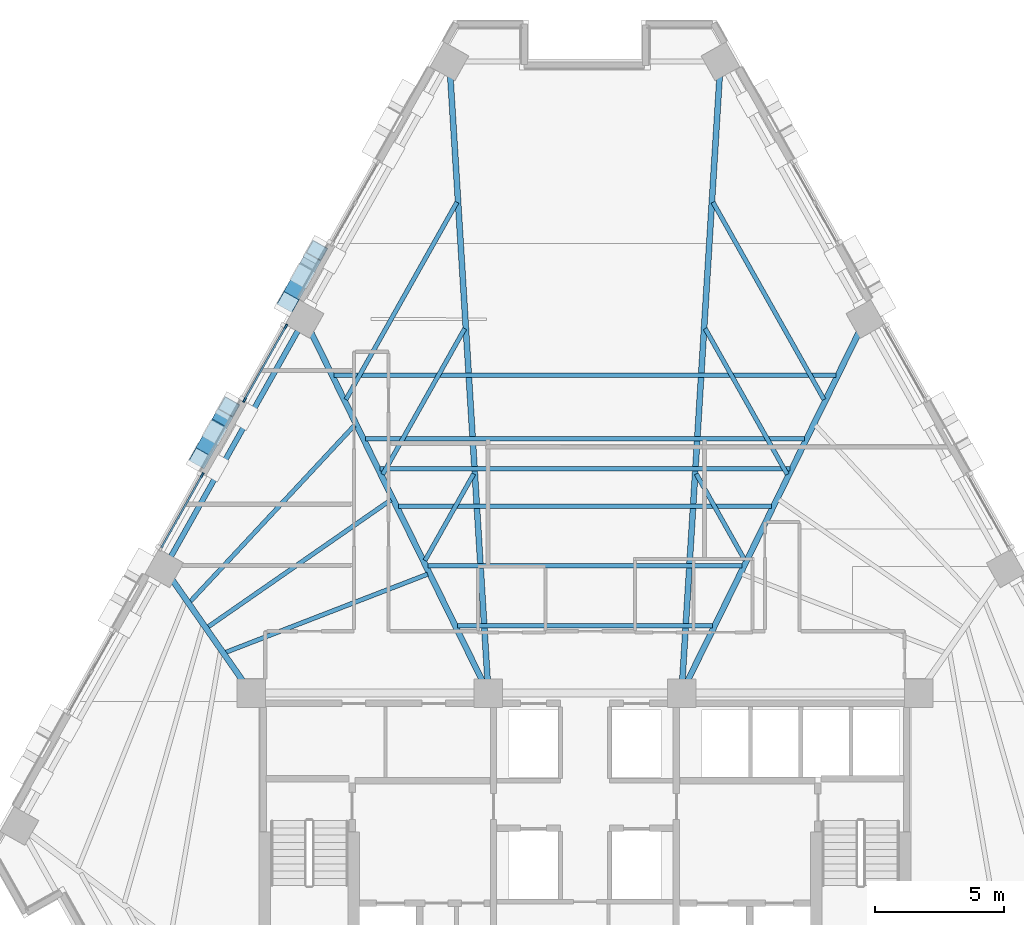
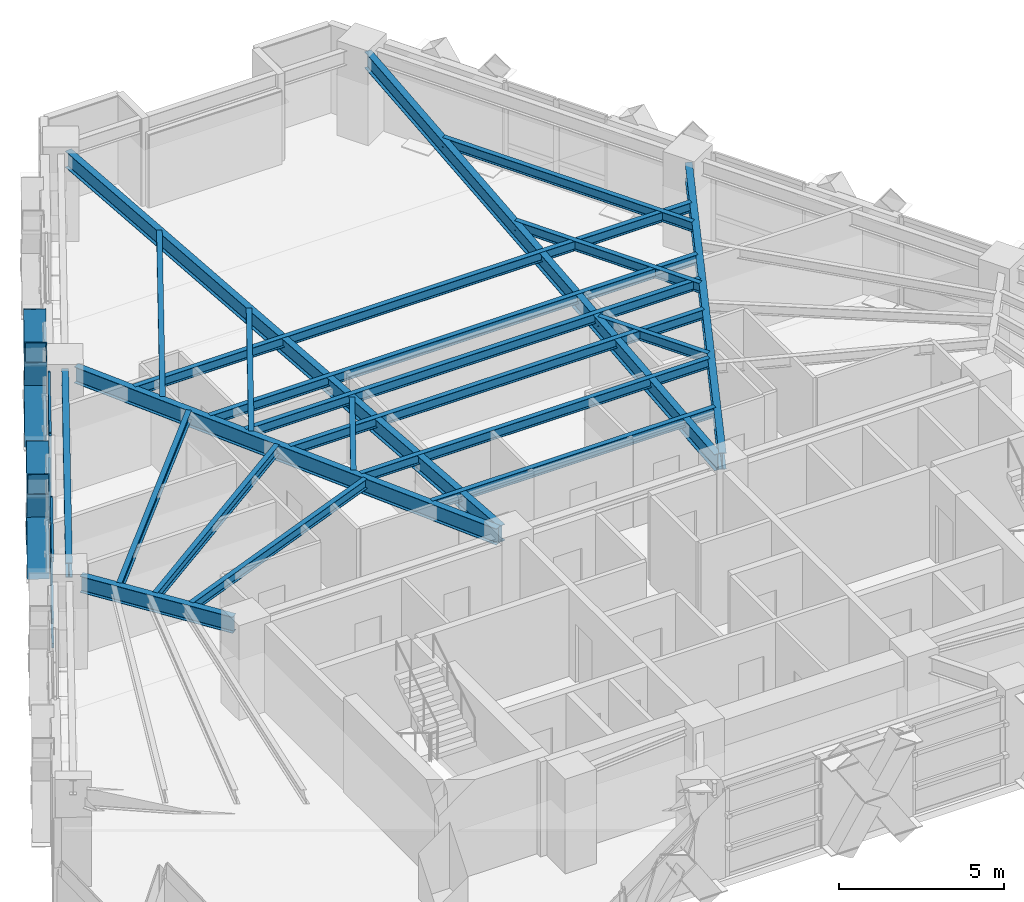
# One storey, part 3 of 14: 21 beams, 14 members, 2 elements without a shape of their own.
"""IFC4 building model written with IfcOpenShell, lengths in metres."""

from ifc_helpers import new_model, si_unit, direction, frame, origin, origin_2d, place, context, subcontext, project, spatial, rectangle, hollow_rectangle, i_section, extrude, material, material_profile, profile_set, type_object, element, aggregate, save


model = new_model("IFC4")

# Units and contexts
model_context = context("Model", 3, precision=1e-05, world=origin(), true_north=direction((0.0, 1.0)))
body_context = subcontext(model_context, "Body", "Model", "MODEL_VIEW")
ifc_project = project(units=[si_unit("LENGTHUNIT", "METRE"), si_unit("AREAUNIT", "SQUARE_METRE"), si_unit("VOLUMEUNIT", "CUBIC_METRE"), si_unit("PLANEANGLEUNIT", "RADIAN"), si_unit("MASSUNIT", "GRAM", prefix="KILO")], contexts=[model_context])

# Site, building, storey
site_placement = place(None, origin())
site = spatial("IfcSite", under=ifc_project, at=site_placement, CompositionType="ELEMENT")
building_placement = place(site_placement, origin())
building = spatial("IfcBuilding", under=site, at=building_placement, Name="Quenlor Broadcast Tower", CompositionType="ELEMENT")
storey_placement = place(building_placement, frame((0.0, 0.0, 123.0)))
storey = spatial("IfcBuildingStorey", under=building, at=storey_placement, Name="L33", CompositionType="ELEMENT", Elevation=123.0)

# Curtain wall, member
ifc_material_1 = material(Name="Architectural Terracotta and Low-E Glazing", Category="masonry")
curtain_wall_type = type_object("IfcCurtainWallType", Name="Unitised Terracotta Curtain Wall System Z2", PredefinedType="NOTDEFINED", material=ifc_material_1)
curtain_wall_1_placement = place(storey_placement, origin())
curtain_wall_1 = element("IfcCurtainWall", 1, at=curtain_wall_1_placement, inside=storey, type_object=curtain_wall_type, Name="L33 Curtain Wall CW2 (L33-NW-G1)", PredefinedType="NOTDEFINED")
ifc_material_2 = material(Name="Aluminium 6063-T6", Category="aluminium")
ifc_material_profile_1 = material_profile(ifc_material_2, rectangle(XDim=0.074951171875, YDim=0.199951171875, at=origin_2d()))
ifc_profile_set_1 = profile_set([ifc_material_profile_1], Name="Aluminium 6063-T6 MULL75x200")
member_type_1 = type_object("IfcMemberType", Name="CW2 Aluminium Mullion MULL_CW2", PredefinedType="MULLION", material=ifc_profile_set_1)
member_1_placement = place(storey_placement, frame((-14.857177734375, 3.660888671875, 0.0), z_axis=(0.0, 0.0, 1.0), x_axis=(-0.871575537123, 0.490261239636, 0.0)))
member_1 = element("IfcMember", 2, at=member_1_placement, type_object=member_type_1, Name="CW2 mullion 2", PredefinedType="MULLION", context=body_context, shape_type="SweptSolid", body=[
    extrude(rectangle(XDim=0.074951171875, YDim=0.199951171875, at=origin_2d()), origin(), (0.0, 0.0, 1.0), 3.25),
])

# Curtain wall, members
curtain_wall_2_placement = place(storey_placement, origin())
curtain_wall_2 = element("IfcCurtainWall", 3, at=curtain_wall_2_placement, inside=storey, type_object=curtain_wall_type, Name="L33 Curtain Wall CW2 (L33-NW-G2)", PredefinedType="NOTDEFINED")
member_2_placement = place(storey_placement, frame((-13.2138671875, 6.582275390625, 0.0), z_axis=(0.0, 0.0, 1.0), x_axis=(-0.871575537123, 0.490261239636, 0.0)))
member_2 = element("IfcMember", 4, at=member_2_placement, type_object=member_type_1, Name="CW2 mullion 1", PredefinedType="MULLION", context=body_context, shape_type="SweptSolid", body=[
    extrude(rectangle(XDim=0.074951171875, YDim=0.199951171875, at=origin_2d()), origin(), (0.0, 0.0, 1.0), 3.25),
])
member_3_placement = place(storey_placement, frame((-11.611572265625, 9.430419921875, 0.0), z_axis=(0.0, 0.0, 1.0), x_axis=(-0.871575537123, 0.490261239636, 0.0)))
member_3 = element("IfcMember", 5, at=member_3_placement, type_object=member_type_1, Name="CW2 mullion 2", PredefinedType="MULLION", context=body_context, shape_type="SweptSolid", body=[
    extrude(rectangle(XDim=0.074951171875, YDim=0.199951171875, at=origin_2d()), origin(), (0.0, 0.0, 1.0), 3.25),
])

# Member
ifc_material_3 = material(Name="Aluminium 6063-T6", Category="aluminium")
ifc_material_profile_2 = material_profile(ifc_material_3, rectangle(XDim=0.074951171875, YDim=0.1650390625, at=origin_2d()))
ifc_profile_set_2 = profile_set([ifc_material_profile_2], Name="Aluminium 6063-T6 TRAN75x165")
member_type_2 = type_object("IfcMemberType", Name="CW2 Aluminium Transom TRAN_CW2", PredefinedType="USERDEFINED", material=ifc_profile_set_2)
member_4_placement = place(storey_placement, frame((-16.44091796875, 0.845458984375, 0.03759765625), z_axis=(0.490297543358, 0.871555115283, 0.0), x_axis=(-0.871555115283, 0.490297543358, 0.0)))
member_4 = element("IfcMember", 6, at=member_4_placement, type_object=member_type_2, Name="CW2 transom 1.1", ObjectType="TRANSOM", PredefinedType="USERDEFINED", context=body_context, shape_type="SweptSolid", body=[
    extrude(rectangle(XDim=0.074951171875, YDim=0.1650390625, at=origin_2d()), origin(), (0.0, 0.0, 1.0), 3.19287109375),
])

member_5_placement = place(storey_placement, frame((-16.44091796875, 0.845458984375, 0.949951171875), z_axis=(0.490297543358, 0.871555115283, 0.0), x_axis=(-0.871555115283, 0.490297543358, 0.0)))
member_5 = element("IfcMember", 7, at=member_5_placement, type_object=member_type_2, Name="CW2 transom 1.2", ObjectType="TRANSOM", PredefinedType="USERDEFINED", context=body_context, shape_type="SweptSolid", body=[
    extrude(rectangle(XDim=0.074951171875, YDim=0.1650390625, at=origin_2d()), origin(), (0.0, 0.0, 1.0), 3.19287109375),
])

member_6_placement = place(storey_placement, frame((-16.44091796875, 0.845458984375, 3.21240234375), z_axis=(0.490297543358, 0.871555115283, 0.0), x_axis=(-0.871555115283, 0.490297543358, 0.0)))
member_6 = element("IfcMember", 8, at=member_6_placement, type_object=member_type_2, Name="CW2 transom 1.3", ObjectType="TRANSOM", PredefinedType="USERDEFINED", context=body_context, shape_type="SweptSolid", body=[
    extrude(rectangle(XDim=0.074951171875, YDim=0.1650390625, at=origin_2d()), origin(), (0.0, 0.0, 1.0), 3.19287109375),
])

aggregate(curtain_wall_1, [member_1, member_4, member_5, member_6])

member_7_placement = place(storey_placement, frame((-13.1953125, 6.614990234375, 0.03759765625), z_axis=(0.490206784037, 0.871606166158, 0.0), x_axis=(-0.871606166158, 0.490206784037, 0.0)))
member_7 = element("IfcMember", 9, at=member_7_placement, type_object=member_type_2, Name="CW2 transom 1.1", ObjectType="TRANSOM", PredefinedType="USERDEFINED", context=body_context, shape_type="SweptSolid", body=[
    extrude(rectangle(XDim=0.074951171875, YDim=0.1650390625, at=origin_2d()), origin(), (0.0, 0.0, 1.0), 3.19287109375),
])

member_8_placement = place(storey_placement, frame((-13.1953125, 6.614990234375, 0.949951171875), z_axis=(0.490206784037, 0.871606166158, 0.0), x_axis=(-0.871606166158, 0.490206784037, 0.0)))
member_8 = element("IfcMember", 10, at=member_8_placement, type_object=member_type_2, Name="CW2 transom 1.2", ObjectType="TRANSOM", PredefinedType="USERDEFINED", context=body_context, shape_type="SweptSolid", body=[
    extrude(rectangle(XDim=0.074951171875, YDim=0.1650390625, at=origin_2d()), origin(), (0.0, 0.0, 1.0), 3.19287109375),
])

member_9_placement = place(storey_placement, frame((-13.1953125, 6.614990234375, 3.21240234375), z_axis=(0.490206784037, 0.871606166158, 0.0), x_axis=(-0.871606166158, 0.490206784037, 0.0)))
member_9 = element("IfcMember", 11, at=member_9_placement, type_object=member_type_2, Name="CW2 transom 1.3", ObjectType="TRANSOM", PredefinedType="USERDEFINED", context=body_context, shape_type="SweptSolid", body=[
    extrude(rectangle(XDim=0.074951171875, YDim=0.1650390625, at=origin_2d()), origin(), (0.0, 0.0, 1.0), 3.19287109375),
])

aggregate(curtain_wall_2, [member_2, member_3, member_7, member_8, member_9])

# Members
ifc_material_4 = material(Name="Steel S355", Category="steel")
ifc_material_profile_3 = material_profile(ifc_material_4, hollow_rectangle(XDim=0.679931640625, YDim=0.679931640625, WallThickness=0.030029296875, at=origin_2d()))
ifc_profile_set_3 = profile_set([ifc_material_profile_3], Name="Steel S355 RHS680x680x30")
member_type_3 = type_object("IfcMemberType", Name="Perimeter Diagonal Lattice Brace Z2 Steel S355 RHS680x30", PredefinedType="BRACE", material=ifc_profile_set_3)
member_10_placement = place(storey_placement, frame((-14.94189453125, 4.316162109375, -0.1201171875), z_axis=(0.268642373731, 0.477592925498, 0.83650240439), x_axis=(-0.871578380919, 0.490256183964, 0.0)))
element("IfcMember", 12, at=member_10_placement, inside=storey, type_object=member_type_3, Name="L33 Perimeter Diamond Lattice NW-C3XA", PredefinedType="BRACE", context=body_context, shape_type="SweptSolid", body=[
    extrude(hollow_rectangle(XDim=0.679931640625, YDim=0.679931640625, WallThickness=0.030029296875, at=origin_2d()), origin(), (0.0, 0.0, 1.0), 4.18408203125),
])
member_11_placement = place(storey_placement, frame((-13.81787109375, 6.314453125, -0.1201171875), z_axis=(-0.268503779961, -0.477634562182, 0.836523128883), x_axis=(0.871704696361, -0.490031552394, 0.0)))
element("IfcMember", 13, at=member_11_placement, inside=storey, type_object=member_type_3, Name="L33 Perimeter Diamond Lattice NW-C3XB1", PredefinedType="BRACE", context=body_context, shape_type="SweptSolid", body=[
    extrude(hollow_rectangle(XDim=0.679931640625, YDim=0.679931640625, WallThickness=0.030029296875, at=origin_2d()), origin(), (0.0, 0.0, 1.0), 1.84228515625),
])
member_12_placement = place(storey_placement, frame((-14.447021484375, 5.19580078125, 1.839111328125), z_axis=(-0.268673537114, -0.477568206326, 0.836506508499), x_axis=(0.871543234879, -0.490318661421, 0.0)))
element("IfcMember", 14, at=member_12_placement, inside=storey, type_object=member_type_3, Name="L33 Perimeter Diamond Lattice NW-C3XB2", PredefinedType="BRACE", context=body_context, shape_type="SweptSolid", body=[
    extrude(hollow_rectangle(XDim=0.679931640625, YDim=0.679931640625, WallThickness=0.030029296875, at=origin_2d()), origin(), (0.0, 0.0, 1.0), 1.841796875),
])
member_13_placement = place(storey_placement, frame((-11.52880859375, 10.3837890625, -0.1201171875), z_axis=(0.268642373731, 0.477592925498, 0.83650240439), x_axis=(-0.871578380919, 0.490256183964, 0.0)))
element("IfcMember", 15, at=member_13_placement, inside=storey, type_object=member_type_3, Name="L33 Perimeter Diamond Lattice NW-C4XA", PredefinedType="BRACE", context=body_context, shape_type="SweptSolid", body=[
    extrude(hollow_rectangle(XDim=0.679931640625, YDim=0.679931640625, WallThickness=0.030029296875, at=origin_2d()), origin(), (0.0, 0.0, 1.0), 4.18408203125),
])
member_14_placement = place(storey_placement, frame((-11.033935546875, 11.263671875, 1.839111328125), z_axis=(-0.268656529223, -0.477670513725, 0.836453554971), x_axis=(0.871601370751, -0.490215310353, 0.0)))
element("IfcMember", 16, at=member_14_placement, inside=storey, type_object=member_type_3, Name="L33 Perimeter Diamond Lattice NW-C4XB2", PredefinedType="BRACE", context=body_context, shape_type="SweptSolid", body=[
    extrude(hollow_rectangle(XDim=0.679931640625, YDim=0.679931640625, WallThickness=0.030029296875, at=origin_2d()), origin(), (0.0, 0.0, 1.0), 1.842041015625),
])

# Beams
ifc_material_5 = material(Name="Steel S355", Category="steel")
ifc_material_profile_4 = material_profile(ifc_material_5, i_section(OverallWidth=0.208984375, OverallDepth=0.5283203125, WebThickness=0.009521484375, FlangeThickness=0.01318359375, FilletRadius=0.013916015625, at=origin_2d()))
ifc_profile_set_4 = profile_set([ifc_material_profile_4], Name="Steel S355 530UB82.0")
beam_type_1 = type_object("IfcBeamType", Name="Perimeter Spandrel Beam Z2 Steel S355 530UB82.0", PredefinedType="SPANDREL", material=ifc_profile_set_4)
beam_1_placement = place(storey_placement, frame((-11.087890625, 9.3623046875, 2.98583984375), z_axis=(-0.49026462139, -0.871573634878, 0.0), x_axis=(0.871573634878, -0.49026462139, 0.0)))
element("IfcBeam", 17, at=beam_1_placement, inside=storey, type_object=beam_type_1, Name="L33 Spandrel Beam NW2-NW3", PredefinedType="SPANDREL", context=body_context, shape_type="SweptSolid", body=[
    extrude(i_section(OverallWidth=0.208984375, OverallDepth=0.5283203125, WebThickness=0.009521484375, FlangeThickness=0.01318359375, FilletRadius=0.013916015625, at=origin_2d()), origin(), (0.0, 0.0, 1.0), 10.28271484375),
])
ifc_material_6 = material(Name="Steel S355", Category="steel")
ifc_material_profile_5 = material_profile(ifc_material_6, i_section(OverallWidth=0.172119140625, OverallDepth=0.358642578125, WebThickness=0.008056640625, FlangeThickness=0.012939453125, FilletRadius=0.011474609375, at=origin_2d()))
ifc_profile_set_5 = profile_set([ifc_material_profile_5], Name="Steel S355 360UB56.7")
beam_type_2 = type_object("IfcBeamType", Name="Tower Composite Joist Z2-Z3 Steel S355 360UB56.7", PredefinedType="JOIST", material=ifc_profile_set_5)
beam_2_placement = place(storey_placement, frame((-4.95458984375, -2.1865234375, 3.07080078125), z_axis=(1.0, 0.0, 0.0), x_axis=(0.0, 1.0, 0.0)))
element("IfcBeam", 18, at=beam_2_placement, inside=storey, type_object=beam_type_2, Name="L33 Secondary Composite Joist 1", PredefinedType="JOIST", context=body_context, shape_type="SweptSolid", body=[
    extrude(i_section(OverallWidth=0.172119140625, OverallDepth=0.358642578125, WebThickness=0.008056640625, FlangeThickness=0.012939453125, FilletRadius=0.011474609375, at=origin_2d()), origin(), (0.0, 0.0, 1.0), 9.9091796875),
])
beam_3_placement = place(storey_placement, frame((-7.9521484375, 3.911865234375, 3.07080078125), z_axis=(1.0, 0.0, 0.0), x_axis=(0.0, 1.0, 0.0)))
element("IfcBeam", 19, at=beam_3_placement, inside=storey, type_object=beam_type_2, Name="L33 Secondary Composite Joist 2", PredefinedType="JOIST", context=body_context, shape_type="SweptSolid", body=[
    extrude(i_section(OverallWidth=0.172119140625, OverallDepth=0.358642578125, WebThickness=0.008056640625, FlangeThickness=0.012939453125, FilletRadius=0.011474609375, at=origin_2d()), origin(), (0.0, 0.0, 1.0), 15.904296875),
])
beam_4_placement = place(storey_placement, frame((-6.096435546875, 0.13671875, 3.07080078125), z_axis=(1.0, 0.0, 0.0), x_axis=(0.0, 1.0, 0.0)))
element("IfcBeam", 20, at=beam_4_placement, inside=storey, type_object=beam_type_2, Name="L33 Secondary Composite Joist 3", PredefinedType="JOIST", context=body_context, shape_type="SweptSolid", body=[
    extrude(i_section(OverallWidth=0.172119140625, OverallDepth=0.358642578125, WebThickness=0.008056640625, FlangeThickness=0.012939453125, FilletRadius=0.011474609375, at=origin_2d()), origin(), (0.0, 0.0, 1.0), 12.19287109375),
])
beam_5_placement = place(storey_placement, frame((-7.238525390625, 2.4599609375, 3.07080078125), z_axis=(1.0, 0.0, 0.0), x_axis=(0.0, 1.0, 0.0)))
element("IfcBeam", 21, at=beam_5_placement, inside=storey, type_object=beam_type_2, Name="L33 Secondary Composite Joist 4", PredefinedType="JOIST", context=body_context, shape_type="SweptSolid", body=[
    extrude(i_section(OverallWidth=0.172119140625, OverallDepth=0.358642578125, WebThickness=0.008056640625, FlangeThickness=0.012939453125, FilletRadius=0.011474609375, at=origin_2d()), origin(), (0.0, 0.0, 1.0), 14.47705078125),
])
beam_6_placement = place(storey_placement, frame((-8.523193359375, 5.073486328125, 3.07080078125), z_axis=(1.0, 0.0, 0.0), x_axis=(0.0, 1.0, 0.0)))
element("IfcBeam", 22, at=beam_6_placement, inside=storey, type_object=beam_type_2, Name="L33 Secondary Composite Joist 5", PredefinedType="JOIST", context=body_context, shape_type="SweptSolid", body=[
    extrude(i_section(OverallWidth=0.172119140625, OverallDepth=0.358642578125, WebThickness=0.008056640625, FlangeThickness=0.012939453125, FilletRadius=0.011474609375, at=origin_2d()), origin(), (0.0, 0.0, 1.0), 17.04638671875),
])
beam_7_placement = place(storey_placement, frame((-9.736328125, 7.541748046875, 3.07080078125), z_axis=(1.0, 0.0, 0.0), x_axis=(0.0, 1.0, 0.0)))
element("IfcBeam", 23, at=beam_7_placement, inside=storey, type_object=beam_type_2, Name="L33 Secondary Composite Joist 6", PredefinedType="JOIST", context=body_context, shape_type="SweptSolid", body=[
    extrude(i_section(OverallWidth=0.172119140625, OverallDepth=0.358642578125, WebThickness=0.008056640625, FlangeThickness=0.012939453125, FilletRadius=0.011474609375, at=origin_2d()), origin(), (0.0, 0.0, 1.0), 19.47265625),
])
beam_8_placement = place(storey_placement, frame((-13.95703125, -3.221435546875, 3.07080078125), z_axis=(0.932542579586, 0.361060018916, 0.0), x_axis=(-0.361060018916, 0.932542579586, 0.0)))
element("IfcBeam", 24, at=beam_8_placement, inside=storey, type_object=beam_type_2, Name="L33 Secondary Composite Joist 7", PredefinedType="JOIST", context=body_context, shape_type="SweptSolid", body=[
    extrude(i_section(OverallWidth=0.172119140625, OverallDepth=0.358642578125, WebThickness=0.008056640625, FlangeThickness=0.012939453125, FilletRadius=0.011474609375, at=origin_2d()), origin(), (0.0, 0.0, 1.0), 8.416259765625),
])
beam_9_placement = place(storey_placement, frame((-14.641845703125, -2.236083984375, 3.07080078125), z_axis=(0.821385737622, 0.570373097219, 0.0), x_axis=(-0.570373097219, 0.821385737622, 0.0)))
element("IfcBeam", 25, at=beam_9_placement, inside=storey, type_object=beam_type_2, Name="L33 Secondary Composite Joist 8", PredefinedType="JOIST", context=body_context, shape_type="SweptSolid", body=[
    extrude(i_section(OverallWidth=0.172119140625, OverallDepth=0.358642578125, WebThickness=0.008056640625, FlangeThickness=0.012939453125, FilletRadius=0.011474609375, at=origin_2d()), origin(), (0.0, 0.0, 1.0), 8.662109375),
])
beam_10_placement = place(storey_placement, frame((-15.3291015625, -1.254638671875, 3.07080078125), z_axis=(0.681880655944, 0.73146344478, 0.0), x_axis=(-0.73146344478, 0.681880655944, 0.0)))
element("IfcBeam", 26, at=beam_10_placement, inside=storey, type_object=beam_type_2, Name="L33 Secondary Composite Joist 9", PredefinedType="JOIST", context=body_context, shape_type="SweptSolid", body=[
    extrude(i_section(OverallWidth=0.172119140625, OverallDepth=0.358642578125, WebThickness=0.008056640625, FlangeThickness=0.012939453125, FilletRadius=0.011474609375, at=origin_2d()), origin(), (0.0, 0.0, 1.0), 9.365234375),
])
beam_11_placement = place(storey_placement, frame((-4.318603515625, 3.7119140625, 3.07080078125), z_axis=(-0.49024921379, -0.871582301552, 0.0), x_axis=(0.871582301552, -0.49024921379, 0.0)))
element("IfcBeam", 27, at=beam_11_placement, inside=storey, type_object=beam_type_2, Name="L33 Secondary Composite Joist 25", PredefinedType="JOIST", context=body_context, shape_type="SweptSolid", body=[
    extrude(i_section(OverallWidth=0.172119140625, OverallDepth=0.358642578125, WebThickness=0.008056640625, FlangeThickness=0.012939453125, FilletRadius=0.011474609375, at=origin_2d()), origin(), (0.0, 0.0, 1.0), 3.85546875),
])
beam_12_placement = place(storey_placement, frame((-4.66650390625, 9.351318359375, 3.07080078125), z_axis=(-0.490232680913, -0.871591600789, 0.0), x_axis=(0.871591600789, -0.490232680913, 0.0)))
element("IfcBeam", 28, at=beam_12_placement, inside=storey, type_object=beam_type_2, Name="L33 Secondary Composite Joist 26", PredefinedType="JOIST", context=body_context, shape_type="SweptSolid", body=[
    extrude(i_section(OverallWidth=0.172119140625, OverallDepth=0.358642578125, WebThickness=0.008056640625, FlangeThickness=0.012939453125, FilletRadius=0.011474609375, at=origin_2d()), origin(), (0.0, 0.0, 1.0), 6.494140625),
])
beam_13_placement = place(storey_placement, frame((-4.96875, 14.255126953125, 3.07080078125), z_axis=(-0.490273109583, -0.871568860171, 0.0), x_axis=(0.871568860171, -0.490273109583, 0.0)))
element("IfcBeam", 29, at=beam_13_placement, inside=storey, type_object=beam_type_2, Name="L33 Secondary Composite Joist 27", PredefinedType="JOIST", context=body_context, shape_type="SweptSolid", body=[
    extrude(i_section(OverallWidth=0.172119140625, OverallDepth=0.358642578125, WebThickness=0.008056640625, FlangeThickness=0.012939453125, FilletRadius=0.011474609375, at=origin_2d()), origin(), (0.0, 0.0, 1.0), 8.78857421875),
])
beam_14_placement = place(storey_placement, frame((4.318603515625, 3.7119140625, 3.07080078125), z_axis=(0.49024921379, -0.871582301552, 0.0), x_axis=(0.871582301552, 0.49024921379, 0.0)))
element("IfcBeam", 30, at=beam_14_placement, inside=storey, type_object=beam_type_2, Name="L33 Secondary Composite Joist 28", PredefinedType="JOIST", context=body_context, shape_type="SweptSolid", body=[
    extrude(i_section(OverallWidth=0.172119140625, OverallDepth=0.358642578125, WebThickness=0.008056640625, FlangeThickness=0.012939453125, FilletRadius=0.011474609375, at=origin_2d()), origin(), (0.0, 0.0, 1.0), 3.85546875),
])
beam_15_placement = place(storey_placement, frame((4.66650390625, 9.351318359375, 3.07080078125), z_axis=(0.490232680913, -0.871591600789, 0.0), x_axis=(0.871591600789, 0.490232680913, 0.0)))
element("IfcBeam", 31, at=beam_15_placement, inside=storey, type_object=beam_type_2, Name="L33 Secondary Composite Joist 29", PredefinedType="JOIST", context=body_context, shape_type="SweptSolid", body=[
    extrude(i_section(OverallWidth=0.172119140625, OverallDepth=0.358642578125, WebThickness=0.008056640625, FlangeThickness=0.012939453125, FilletRadius=0.011474609375, at=origin_2d()), origin(), (0.0, 0.0, 1.0), 6.494140625),
])
beam_16_placement = place(storey_placement, frame((4.96875, 14.255126953125, 3.07080078125), z_axis=(0.490273109583, -0.871568860171, 0.0), x_axis=(0.871568860171, 0.490273109583, 0.0)))
element("IfcBeam", 32, at=beam_16_placement, inside=storey, type_object=beam_type_2, Name="L33 Secondary Composite Joist 30", PredefinedType="JOIST", context=body_context, shape_type="SweptSolid", body=[
    extrude(i_section(OverallWidth=0.172119140625, OverallDepth=0.358642578125, WebThickness=0.008056640625, FlangeThickness=0.012939453125, FilletRadius=0.011474609375, at=origin_2d()), origin(), (0.0, 0.0, 1.0), 8.78857421875),
])
ifc_material_7 = material(Name="Steel S355", Category="steel")
ifc_material_profile_6 = material_profile(ifc_material_7, i_section(OverallWidth=0.22802734375, OverallDepth=0.60205078125, WebThickness=0.010498046875, FlangeThickness=0.014892578125, FilletRadius=0.013916015625, at=origin_2d()))
ifc_profile_set_6 = profile_set([ifc_material_profile_6], Name="Steel S355 610UB101")
beam_type_3 = type_object("IfcBeamType", Name="Tower Primary Floor Beam Z2 Steel S355 610UB101", PredefinedType="BEAM", material=ifc_profile_set_6)
beam_17_placement = place(storey_placement, frame((10.7060546875, 9.351806640625, 2.948974609375), z_axis=(-0.441130328176, -0.897443053103, 0.0), x_axis=(0.897443053103, -0.441130328176, 0.0)))
element("IfcBeam", 33, at=beam_17_placement, inside=storey, type_object=beam_type_3, Name="L33 Primary Radial Beam NE3", PredefinedType="BEAM", context=body_context, shape_type="SweptSolid", body=[
    extrude(i_section(OverallWidth=0.22802734375, OverallDepth=0.60205078125, WebThickness=0.010498046875, FlangeThickness=0.014892578125, FilletRadius=0.013916015625, at=origin_2d()), origin(), (0.0, 0.0, 1.0), 15.38916015625),
])
for number, where, z_axis, x_axis, name in (
    (34, (5.237060546875, 19.309814453125, 2.948974609375), (-0.061559977358, -0.998103386022, 0.0), (0.998103386022, -0.061559977358, 0.0), "L33 Primary Radial Beam NE4"),
    (35, (-5.237060546875, 19.309814453125, 2.948974609375), (0.061559977358, -0.998103386022, 0.0), (0.998103386022, 0.061559977358, 0.0), "L33 Primary Radial Beam NW1"),
):
    element("IfcBeam", number, at=place(storey_placement, frame(where, z_axis=z_axis, x_axis=x_axis)), inside=storey, type_object=beam_type_3, Name=name, PredefinedType="BEAM", context=body_context, shape_type="SweptSolid", body=[
        extrude(i_section(OverallWidth=0.22802734375, OverallDepth=0.60205078125, WebThickness=0.010498046875, FlangeThickness=0.014892578125, FilletRadius=0.013916015625, at=origin_2d()), origin(), (0.0, 0.0, 1.0), 23.775634765625),
    ])
beam_18_placement = place(storey_placement, frame((-10.7060546875, 9.351806640625, 2.948974609375), z_axis=(0.441130328176, -0.897443053103, 0.0), x_axis=(0.897443053103, 0.441130328176, 0.0)))
element("IfcBeam", 36, at=beam_18_placement, inside=storey, type_object=beam_type_3, Name="L33 Primary Radial Beam NW2", PredefinedType="BEAM", context=body_context, shape_type="SweptSolid", body=[
    extrude(i_section(OverallWidth=0.22802734375, OverallDepth=0.60205078125, WebThickness=0.010498046875, FlangeThickness=0.014892578125, FilletRadius=0.013916015625, at=origin_2d()), origin(), (0.0, 0.0, 1.0), 15.38916015625),
])
beam_19_placement = place(storey_placement, frame((-16.095458984375, -0.293212890625, 2.948974609375), z_axis=(0.572337599985, -0.820018092266, 0.0), x_axis=(0.820018092266, 0.572337599985, 0.0)))
element("IfcBeam", 37, at=beam_19_placement, inside=storey, type_object=beam_type_3, Name="L33 Primary Radial Beam NW3", PredefinedType="BEAM", context=body_context, shape_type="SweptSolid", body=[
    extrude(i_section(OverallWidth=0.22802734375, OverallDepth=0.60205078125, WebThickness=0.010498046875, FlangeThickness=0.014892578125, FilletRadius=0.013916015625, at=origin_2d()), origin(), (0.0, 0.0, 1.0), 5.11572265625),
])

save(model, "model.ifc")
